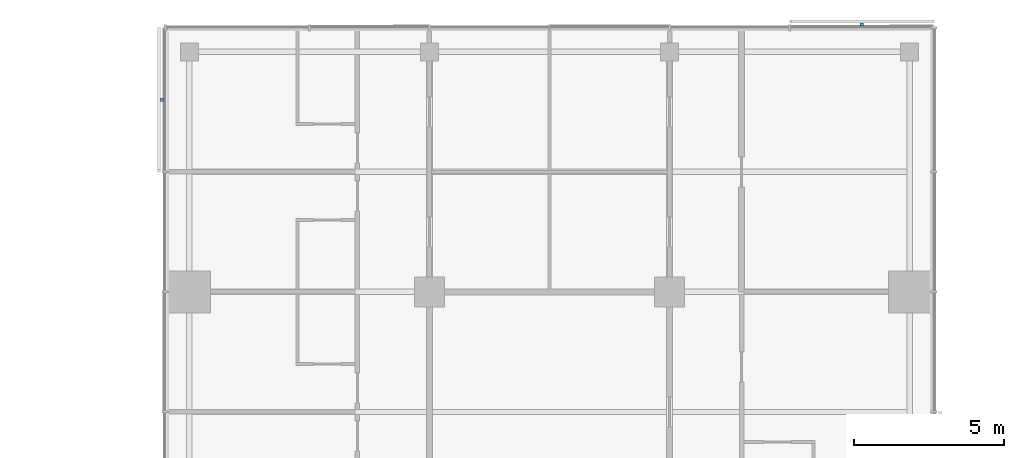
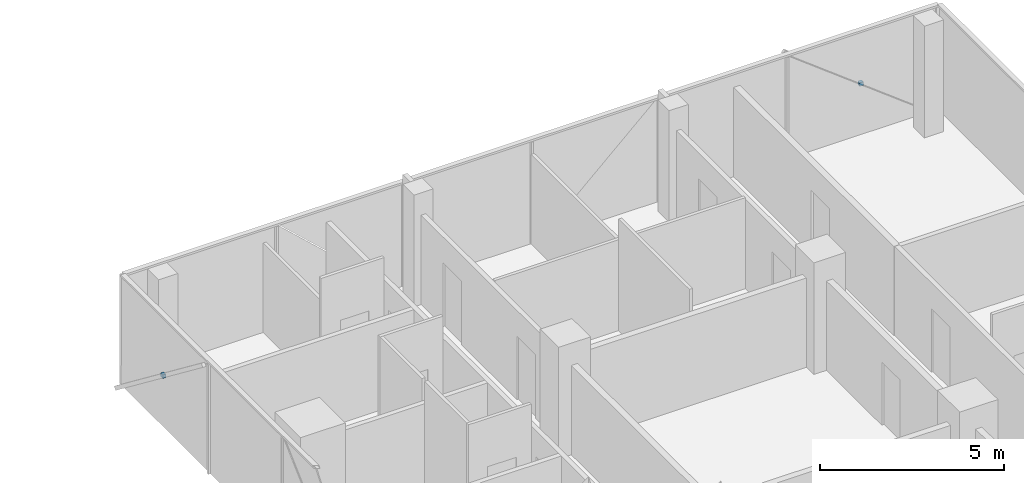
# One storey, part 26 of 27: 2 discrete accessories.
"""IFC4 building model written with IfcOpenShell, lengths in metres."""

from ifc_helpers import new_model, si_unit, direction, frame, origin, origin_2d, place, context, subcontext, project, spatial, rectangle, extrude, material, type_object, element, save


model = new_model("IFC4")

# Units and contexts
model_context = context("Model", 3, precision=1e-05, world=origin(), true_north=direction((0.0, 1.0)))
body_context = subcontext(model_context, "Body", "Model", "MODEL_VIEW")
ifc_project = project(units=[si_unit("LENGTHUNIT", "METRE"), si_unit("AREAUNIT", "SQUARE_METRE"), si_unit("VOLUMEUNIT", "CUBIC_METRE"), si_unit("PLANEANGLEUNIT", "RADIAN"), si_unit("MASSUNIT", "GRAM", prefix="KILO")], contexts=[model_context])

# Site, building, storey
site_placement = place(None, origin())
site = spatial("IfcSite", under=ifc_project, at=site_placement, CompositionType="ELEMENT")
building_placement = place(site_placement, origin())
building = spatial("IfcBuilding", under=site, at=building_placement, Name="Crosswind Convention Tower", CompositionType="ELEMENT")
storey_placement = place(building_placement, frame((0.0, 0.0, 90.5)))
storey = spatial("IfcBuildingStorey", under=building, at=storey_placement, Name="L17", CompositionType="ELEMENT", Elevation=90.5)

# Discrete accessories
ifc_material = material(Name="Stainless steel", Category="steel")
discrete_accessory_type = type_object("IfcDiscreteAccessoryType", Name="BAGUETTE BRACKET BK2", PredefinedType="BRACKET", material=ifc_material)
for number, where, z_axis, x_axis, name in (
    (1, (135.39990234375, 136.907958984375, 1.4775390625), (0.0, 0.0, 1.0), (-1.0, 0.0, 0.0), "BK2 baguette bracket"),
    (2, (112.092041015625, 134.39990234375, 1.4775390625), (0.0, 0.0, 1.0), (0.0, -1.0, 0.0), "BK2 baguette bracket"),
):
    element("IfcDiscreteAccessory", number, at=place(storey_placement, frame(where, z_axis=z_axis, x_axis=x_axis)), inside=storey, type_object=discrete_accessory_type, Name=name, PredefinedType="BRACKET", context=body_context, shape_type="SweptSolid", body=[
        extrude(rectangle(XDim=0.1201171875, YDim=0.10009765625, at=origin_2d()), origin(), (0.0, 0.0, 1.0), 0.1201171875),
    ])

save(model, "model.ifc")
